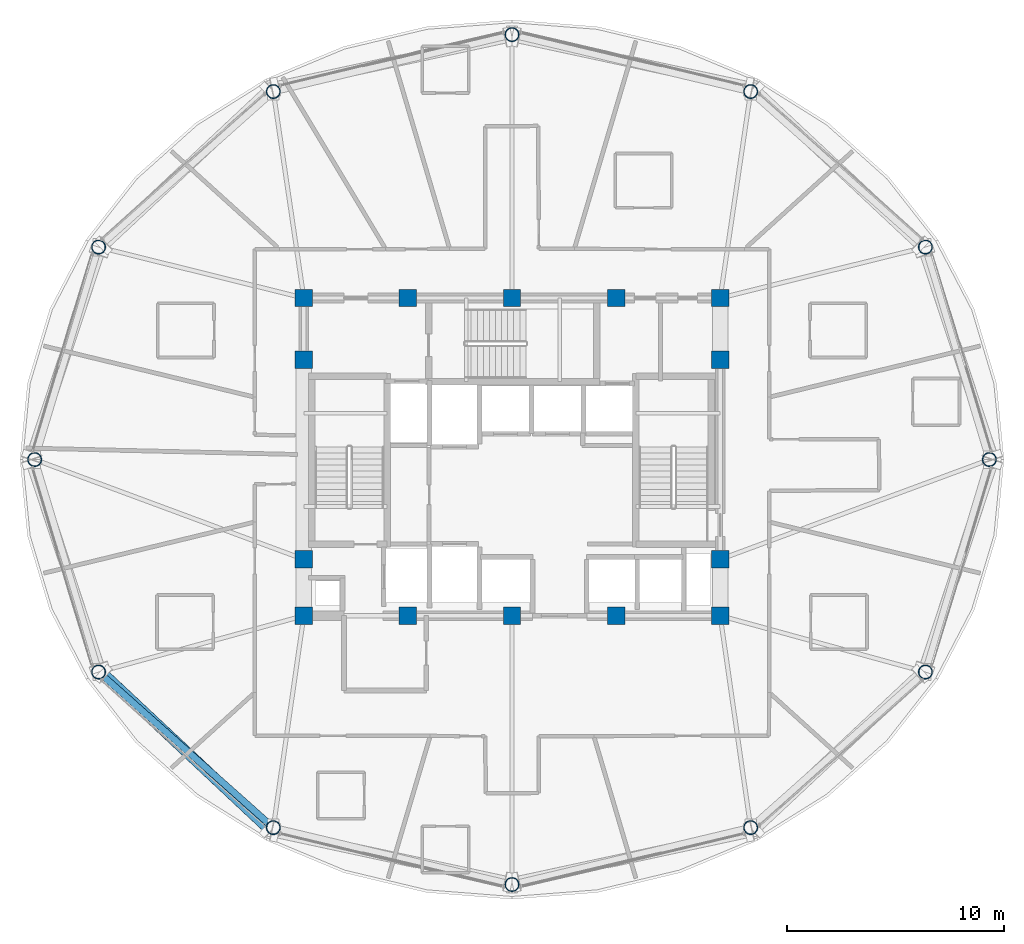
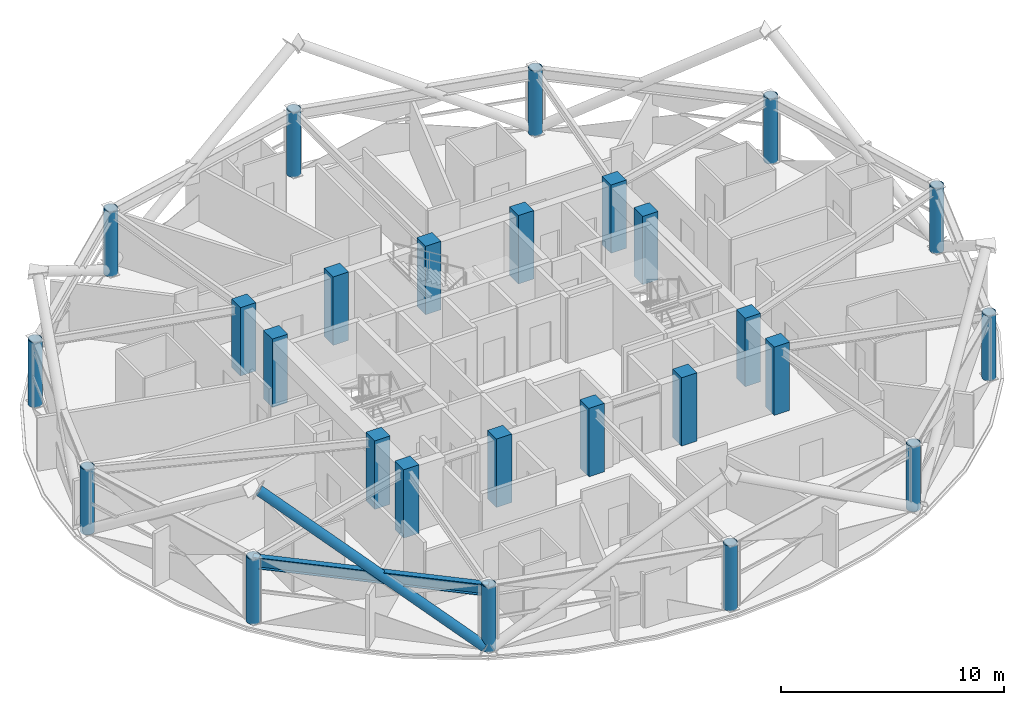
# One storey, part 1 of 29: 26 columns, 1 beam, 1 member.
"""IFC4 building model written with IfcOpenShell, lengths in metres."""

from ifc_helpers import new_model, si_unit, direction, frame, origin, origin_2d, place, context, subcontext, project, spatial, rectangle, hollow_circle, i_section, extrude, material, material_profile, profile_set, type_object, element, save


model = new_model("IFC4")

# Units and contexts
model_context = context("Model", 3, precision=1e-05, world=origin(), true_north=direction((0.0, 1.0)))
body_context = subcontext(model_context, "Body", "Model", "MODEL_VIEW")
ifc_project = project(units=[si_unit("LENGTHUNIT", "METRE"), si_unit("AREAUNIT", "SQUARE_METRE"), si_unit("VOLUMEUNIT", "CUBIC_METRE"), si_unit("PLANEANGLEUNIT", "RADIAN"), si_unit("MASSUNIT", "GRAM", prefix="KILO")], contexts=[model_context])

# Site, building, storey
site_placement = place(None, origin())
site = spatial("IfcSite", under=ifc_project, at=site_placement, CompositionType="ELEMENT")
building_placement = place(site_placement, origin())
building = spatial("IfcBuilding", under=site, at=building_placement, Name="Vantalir Tower", CompositionType="ELEMENT")
storey_placement = place(building_placement, frame((0.0, 0.0, 227.39990234375)))
storey = spatial("IfcBuildingStorey", under=building, at=storey_placement, Name="L57", CompositionType="ELEMENT", Elevation=227.39990234375)

# Columns
ifc_material_1 = material(Name="Concrete C50/60", Category="concrete")
ifc_material_profile_1 = material_profile(ifc_material_1, rectangle(XDim=0.800048828125, YDim=0.800048828125, at=origin_2d()), Name="Concrete C50/60")
ifc_profile_set_1 = profile_set([ifc_material_profile_1], Name="Concrete C50/60")
column_type_1 = type_object("IfcColumnType", Name="COL-CC-800", PredefinedType="COLUMN", material=ifc_profile_set_1)
for number, where, z_axis, x_axis, name in (
    (1, (21.89990234375, 17.800048828125, 0.0), (0.0, 0.0, 1.0), (1.0, 0.0, 0.0), "L57 Core Column CC01"),
    (2, (26.699951171875, 17.800048828125, 0.0), (0.0, 0.0, 1.0), (1.0, 0.0, 0.0), "L57 Core Column CC02"),
    (3, (31.5, 17.800048828125, 0.0), (0.0, 0.0, 1.0), (1.0, 0.0, 0.0), "L57 Core Column CC03"),
    (4, (36.300048828125, 17.800048828125, 0.0), (0.0, 0.0, 1.0), (1.0, 0.0, 0.0), "L57 Core Column CC04"),
    (5, (41.10009765625, 17.800048828125, 0.0), (0.0, 0.0, 1.0), (1.0, 0.0, 0.0), "L57 Core Column CC05"),
    (6, (21.89990234375, 20.39990234375, 0.0), (0.0, 0.0, 1.0), (1.0, 0.0, 0.0), "L57 Core Column CC06"),
    (7, (21.89990234375, 29.60009765625, 0.0), (0.0, 0.0, 1.0), (1.0, 0.0, 0.0), "L57 Core Column CC07"),
    (8, (41.10009765625, 20.39990234375, 0.0), (0.0, 0.0, 1.0), (1.0, 0.0, 0.0), "L57 Core Column CC08"),
    (9, (41.10009765625, 29.60009765625, 0.0), (0.0, 0.0, 1.0), (1.0, 0.0, 0.0), "L57 Core Column CC09"),
    (10, (21.89990234375, 32.449951171875, 0.0), (0.0, 0.0, 1.0), (1.0, 0.0, 0.0), "L57 Core Column CC10"),
    (11, (26.699951171875, 32.449951171875, 0.0), (0.0, 0.0, 1.0), (1.0, 0.0, 0.0), "L57 Core Column CC11"),
    (12, (31.5, 32.449951171875, 0.0), (0.0, 0.0, 1.0), (1.0, 0.0, 0.0), "L57 Core Column CC12"),
    (13, (36.300048828125, 32.449951171875, 0.0), (0.0, 0.0, 1.0), (1.0, 0.0, 0.0), "L57 Core Column CC13"),
    (14, (41.10009765625, 32.449951171875, 0.0), (0.0, 0.0, 1.0), (1.0, 0.0, 0.0), "L57 Core Column CC14"),
):
    element("IfcColumn", number, at=place(storey_placement, frame(where, z_axis=z_axis, x_axis=x_axis)), inside=storey, type_object=column_type_1, Name=name, PredefinedType="COLUMN", context=body_context, shape_type="SweptSolid", body=[
        extrude(rectangle(XDim=0.800048828125, YDim=0.800048828125, at=origin_2d()), origin(), (0.0, 0.0, 1.0), 3.75),
    ])
ifc_material_2 = material(Name="Steel S460", Category="steel")
ifc_material_profile_2 = material_profile(ifc_material_2, hollow_circle(Radius=0.324951171875, WallThickness=0.030029296875, at=origin_2d()), Name="Steel S460")
ifc_profile_set_2 = profile_set([ifc_material_profile_2], Name="Steel S460")
column_type_2 = type_object("IfcColumnType", Name="COL-RC-650", PredefinedType="COLUMN", material=ifc_profile_set_2)
for number, where, z_axis, x_axis, name in (
    (15, (53.512939453125, 25.0, 0.0), (0.0, 0.0, 1.0), (1.0, 0.0, 0.0), "L57 Perimeter Ring Column RC01"),
    (16, (50.56396484375, 34.798095703125, 0.0), (0.0, 0.0, 1.0), (1.0, 0.0, 0.0), "L57 Perimeter Ring Column RC02"),
    (17, (42.506103515625, 41.970947265625, 0.0), (0.0, 0.0, 1.0), (1.0, 0.0, 0.0), "L57 Perimeter Ring Column RC03"),
    (18, (31.5, 44.595947265625, 0.0), (0.0, 0.0, 1.0), (1.0, 0.0, 0.0), "L57 Perimeter Ring Column RC04"),
    (19, (20.493896484375, 41.970947265625, 0.0), (0.0, 0.0, 1.0), (1.0, 0.0, 0.0), "L57 Perimeter Ring Column RC05"),
    (20, (12.43603515625, 34.798095703125, 0.0), (0.0, 0.0, 1.0), (1.0, 0.0, 0.0), "L57 Perimeter Ring Column RC06"),
    (21, (9.487060546875, 25.0, 0.0), (0.0, 0.0, 1.0), (1.0, 0.0, 0.0), "L57 Perimeter Ring Column RC07"),
    (22, (12.43603515625, 15.201904296875, 0.0), (0.0, 0.0, 1.0), (1.0, 0.0, 0.0), "L57 Perimeter Ring Column RC08"),
    (23, (20.492919921875, 8.029052734375, 0.0), (0.0, 0.0, 1.0), (1.0, 0.0, 0.0), "L57 Perimeter Ring Column RC09"),
    (24, (31.5, 5.404052734375, 0.0), (0.0, 0.0, 1.0), (1.0, 0.0, 0.0), "L57 Perimeter Ring Column RC10"),
    (25, (42.506103515625, 8.029052734375, 0.0), (0.0, 0.0, 1.0), (1.0, 0.0, 0.0), "L57 Perimeter Ring Column RC11"),
    (26, (50.56396484375, 15.201904296875, 0.0), (0.0, 0.0, 1.0), (1.0, 0.0, 0.0), "L57 Perimeter Ring Column RC12"),
):
    element("IfcColumn", number, at=place(storey_placement, frame(where, z_axis=z_axis, x_axis=x_axis)), inside=storey, type_object=column_type_2, Name=name, PredefinedType="COLUMN", context=body_context, shape_type="SweptSolid", body=[
        extrude(hollow_circle(Radius=0.324951171875, WallThickness=0.030029296875, at=origin_2d()), origin(), (0.0, 0.0, 1.0), 3.570068359375),
    ])

# Beam
ifc_material_profile_3 = material_profile(ifc_material_2, i_section(OverallWidth=0.306884765625, OverallDepth=0.6201171875, WebThickness=0.01416015625, FlangeThickness=0.023681640625, at=origin_2d()), Name="Steel S460")
ifc_profile_set_3 = profile_set([ifc_material_profile_3], Name="Steel S460")
beam_type = type_object("IfcBeamType", Name="BM-RG-610x305", PredefinedType="USERDEFINED", material=ifc_profile_set_3)
beam_placement = place(storey_placement, frame((12.43603515625, 15.201904296875, 3.260009765625), z_axis=(0.7468946348, -0.66494240691, 0.0), x_axis=(0.66494240691, 0.7468946348, 0.0)))
element("IfcBeam", 27, at=beam_placement, inside=storey, type_object=beam_type, Name="L57 Circumferential Ring Girder 08", ObjectType="GIRDER", PredefinedType="USERDEFINED", context=body_context, shape_type="SweptSolid", body=[
    extrude(i_section(OverallWidth=0.306884765625, OverallDepth=0.6201171875, WebThickness=0.01416015625, FlangeThickness=0.023681640625, at=origin_2d()), origin(), (0.0, 0.0, 1.0), 10.787109375),
])

# Member
ifc_material_profile_4 = material_profile(ifc_material_2, hollow_circle(Radius=0.25, WallThickness=0.031982421875, at=origin_2d()), Name="Steel S460")
ifc_profile_set_4 = profile_set([ifc_material_profile_4], Name="Steel S460")
member_type = type_object("IfcMemberType", Name="MEM-DB-500x32", PredefinedType="BRACE", material=ifc_profile_set_4)
member_placement = place(storey_placement, frame((20.263916015625, 7.989990234375, 0.2021484375), z_axis=(-0.607998854352, 0.569615778517, 0.553059904505), x_axis=(-0.683696329483, -0.729766626431, 0.0)))
element("IfcMember", 28, at=member_placement, inside=storey, type_object=member_type, Name="L57 Perimeter S460 Diagrid Brace R25R", PredefinedType="BRACE", context=body_context, shape_type="SweptSolid", body=[
    extrude(hollow_circle(Radius=0.25, WallThickness=0.031982421875, at=origin_2d()), origin(), (0.0, 0.0, 1.0), 12.5048828125),
])

save(model, "model.ifc")
